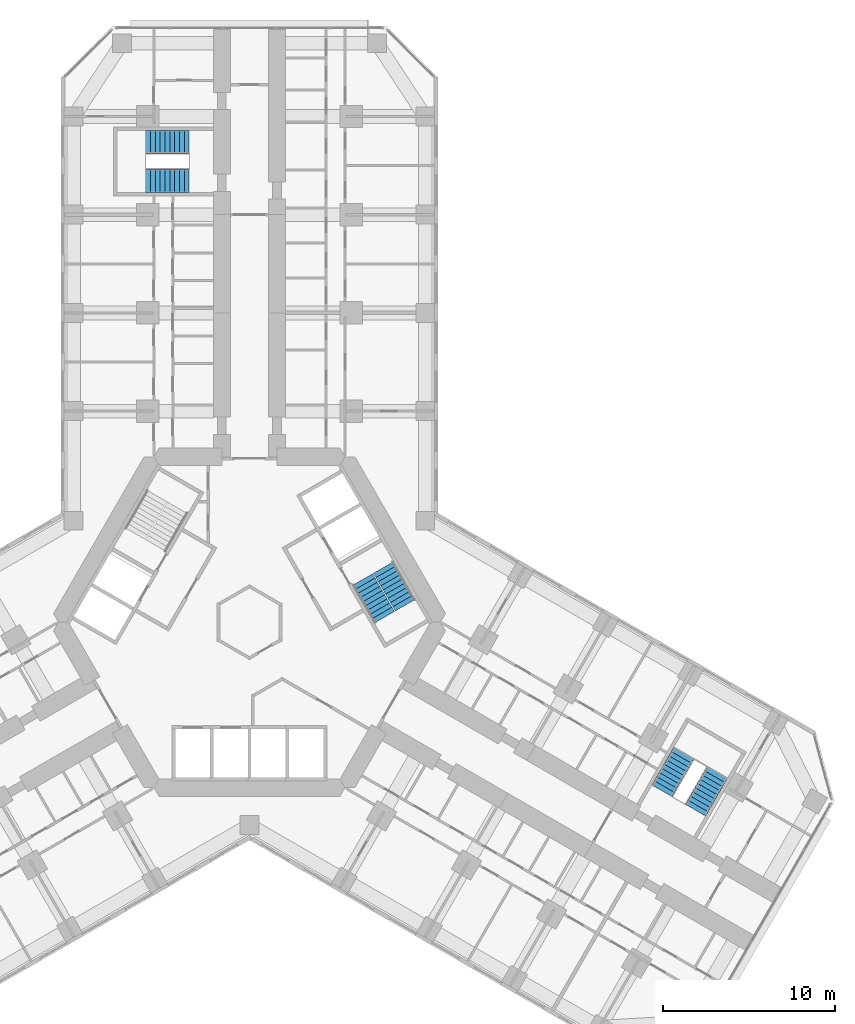
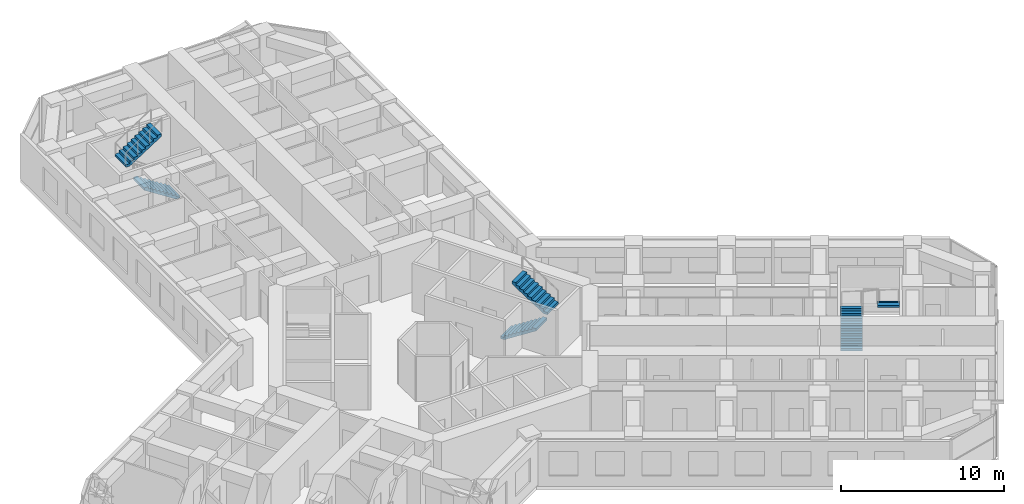
# One storey, part 20 of 21: 6 stair flights, 3 elements without a shape of their own.
"""IFC4 building model written with IfcOpenShell, lengths in metres."""

from ifc_helpers import new_model, si_unit, direction, frame, origin, place, context, subcontext, project, spatial, polyline, outline, extrude, material, type_object, element, aggregate, save


model = new_model("IFC4")

# Units and contexts
model_context = context("Model", 3, precision=1e-05, world=origin(), true_north=direction((0.0, 1.0)))
body_context = subcontext(model_context, "Body", "Model", "MODEL_VIEW")
ifc_project = project(units=[si_unit("LENGTHUNIT", "METRE"), si_unit("AREAUNIT", "SQUARE_METRE"), si_unit("VOLUMEUNIT", "CUBIC_METRE"), si_unit("PLANEANGLEUNIT", "RADIAN"), si_unit("MASSUNIT", "GRAM", prefix="KILO")], contexts=[model_context])

# Site, building, storey
site_placement = place(None, origin())
site = spatial("IfcSite", under=ifc_project, at=site_placement, CompositionType="ELEMENT")
building_placement = place(site_placement, origin())
building = spatial("IfcBuilding", under=site, at=building_placement, Name="Kosmar Iwan School Tower", CompositionType="ELEMENT")
storey_placement = place(building_placement, frame((0.0, 0.0, 43.0)))
storey = spatial("IfcBuildingStorey", under=building, at=storey_placement, Name="L09", CompositionType="ELEMENT", Elevation=43.0)

# Stair, stair flights
ifc_material_1 = material(Name="Concrete C35/45", Category="concrete")
stair_type_1 = type_object("IfcStairType", Name="Escape stair 3600", PredefinedType="HALF_TURN_STAIR", material=ifc_material_1)
stair_1_placement = place(storey_placement, origin())
stair_1 = element("IfcStair", 1, at=stair_1_placement, inside=storey, type_object=stair_type_1, Name="Stair WS1 L09", PredefinedType="HALF_TURN_STAIR")
ifc_material_2 = material(Name="Concrete C35/45", Category="concrete")
stair_flight_type_1 = type_object("IfcStairFlightType", Name="Escape stair flight 1350", PredefinedType="STRAIGHT", material=ifc_material_2)
stair_flight_1_placement = place(storey_placement, frame((-3.5, 25.625, 0.0), z_axis=(0.0, 0.0, 1.0), x_axis=(-1.0, 0.0, 0.0)))
stair_flight_1 = element("IfcStairFlight", 2, at=stair_flight_1_placement, type_object=stair_flight_type_1, Name="WS1 flight 1", NumberOfRisers=10, NumberOfTreads=9, PredefinedType="STRAIGHT", RiserHeight=0.18, TreadLength=0.28, context=body_context, shape_type="SweptSolid", body=[
    extrude(outline(polyline([(0.0, 0.0), (0.0, 0.179931640625), (0.280029296875, 0.179931640625), (0.280029296875, 0.360107421875), (0.56005859375, 0.360107421875), (0.56005859375, 0.5400390625), (0.840087890625, 0.5400390625), (0.840087890625, 0.719970703125), (1.1201171875, 0.719970703125), (1.1201171875, 0.89990234375), (1.39990234375, 0.89990234375), (1.39990234375, 1.080078125), (1.679931640625, 1.080078125), (1.679931640625, 1.260009765625), (1.9599609375, 1.260009765625), (1.9599609375, 1.43994140625), (2.239990234375, 1.43994140625), (2.239990234375, 1.6201171875), (2.52001953125, 1.6201171875), (2.52001953125, 1.800048828125), (2.52001953125, 1.44189453125), (0.277099609375, 0.0), (0.0, 0.0)])), frame((0.0, 0.675048828125, 0.0), z_axis=(0.0, -1.0, 0.0), x_axis=(1.0, 0.0, 0.0)), (0.0, 0.0, 1.0), 1.35009765625),
])
stair_flight_2_placement = place(storey_placement, frame((-6.02001953125, 27.875, 1.800048828125), z_axis=(0.0, 0.0, 1.0), x_axis=(1.0, 0.0, 0.0)))
stair_flight_2 = element("IfcStairFlight", 3, at=stair_flight_2_placement, type_object=stair_flight_type_1, Name="WS1 flight 2", NumberOfRisers=10, NumberOfTreads=9, PredefinedType="STRAIGHT", RiserHeight=0.18, TreadLength=0.28, context=body_context, shape_type="SweptSolid", body=[
    extrude(outline(polyline([(0.0, 0.0), (0.0, 0.179931640625), (0.280029296875, 0.179931640625), (0.280029296875, 0.360107421875), (0.56005859375, 0.360107421875), (0.56005859375, 0.5400390625), (0.840087890625, 0.5400390625), (0.840087890625, 0.719970703125), (1.1201171875, 0.719970703125), (1.1201171875, 0.89990234375), (1.39990234375, 0.89990234375), (1.39990234375, 1.080078125), (1.679931640625, 1.080078125), (1.679931640625, 1.260009765625), (1.9599609375, 1.260009765625), (1.9599609375, 1.43994140625), (2.239990234375, 1.43994140625), (2.239990234375, 1.6201171875), (2.52001953125, 1.6201171875), (2.52001953125, 1.800048828125), (2.52001953125, 1.44189453125), (0.277099609375, 0.0), (0.0, 0.0)])), frame((0.0, 0.675048828125, 0.0), z_axis=(0.0, -1.0, 0.0), x_axis=(1.0, 0.0, 0.0)), (0.0, 0.0, 1.0), 1.35009765625),
])
aggregate(stair_1, [stair_flight_1, stair_flight_2])

stair_2_placement = place(storey_placement, origin())
stair_2 = element("IfcStair", 4, at=stair_2_placement, inside=storey, type_object=stair_type_1, Name="Stair WS3 L09", PredefinedType="HALF_TURN_STAIR")
stair_flight_3_placement = place(storey_placement, frame((23.94189453125, -9.781494140625, 0.0), z_axis=(0.0, 0.0, 1.0), x_axis=(0.5, 0.866025403784, 0.0)))
stair_flight_3 = element("IfcStairFlight", 5, at=stair_flight_3_placement, type_object=stair_flight_type_1, Name="WS3 flight 1", NumberOfRisers=10, NumberOfTreads=9, PredefinedType="STRAIGHT", RiserHeight=0.18, TreadLength=0.28, context=body_context, shape_type="SweptSolid", body=[
    extrude(outline(polyline([(0.0, 0.0), (0.0, 0.179931640625), (0.280029296875, 0.179931640625), (0.280029296875, 0.360107421875), (0.56005859375, 0.360107421875), (0.56005859375, 0.5400390625), (0.840087890625, 0.5400390625), (0.840087890625, 0.719970703125), (1.1201171875, 0.719970703125), (1.1201171875, 0.89990234375), (1.39990234375, 0.89990234375), (1.39990234375, 1.080078125), (1.679931640625, 1.080078125), (1.679931640625, 1.260009765625), (1.9599609375, 1.260009765625), (1.9599609375, 1.43994140625), (2.239990234375, 1.43994140625), (2.239990234375, 1.6201171875), (2.52001953125, 1.6201171875), (2.52001953125, 1.800048828125), (2.52001953125, 1.44189453125), (0.277099609375, 0.0), (0.0, 0.0)])), frame((0.0, 0.675048828125, 0.0), z_axis=(0.0, -1.0, 0.0), x_axis=(1.0, 0.0, 0.0)), (0.0, 0.0, 1.0), 1.35009765625),
])
stair_flight_4_placement = place(storey_placement, frame((27.150390625, -8.72412109375, 1.800048828125), z_axis=(0.0, 0.0, 1.0), x_axis=(-0.5, -0.866025403784, 0.0)))
stair_flight_4 = element("IfcStairFlight", 6, at=stair_flight_4_placement, type_object=stair_flight_type_1, Name="WS3 flight 2", NumberOfRisers=10, NumberOfTreads=9, PredefinedType="STRAIGHT", RiserHeight=0.18, TreadLength=0.28, context=body_context, shape_type="SweptSolid", body=[
    extrude(outline(polyline([(0.0, 0.0), (0.0, 0.179931640625), (0.280029296875, 0.179931640625), (0.280029296875, 0.360107421875), (0.56005859375, 0.360107421875), (0.56005859375, 0.5400390625), (0.840087890625, 0.5400390625), (0.840087890625, 0.719970703125), (1.1201171875, 0.719970703125), (1.1201171875, 0.89990234375), (1.39990234375, 0.89990234375), (1.39990234375, 1.080078125), (1.679931640625, 1.080078125), (1.679931640625, 1.260009765625), (1.9599609375, 1.260009765625), (1.9599609375, 1.43994140625), (2.239990234375, 1.43994140625), (2.239990234375, 1.6201171875), (2.52001953125, 1.6201171875), (2.52001953125, 1.800048828125), (2.52001953125, 1.44189453125), (0.277099609375, 0.0), (0.0, 0.0)])), frame((0.0, 0.675048828125, 0.0), z_axis=(0.0, -1.0, 0.0), x_axis=(1.0, 0.0, 0.0)), (0.0, 0.0, 1.0), 1.35009765625),
])
aggregate(stair_2, [stair_flight_3, stair_flight_4])

ifc_material_3 = material(Name="Concrete C35/45", Category="concrete")
stair_type_2 = type_object("IfcStairType", Name="Core stair 2750", PredefinedType="HALF_TURN_STAIR", material=ifc_material_3)
stair_3_placement = place(storey_placement, origin())
stair_3 = element("IfcStair", 7, at=stair_3_placement, inside=storey, type_object=stair_type_2, Name="Stair ST1 L09", PredefinedType="HALF_TURN_STAIR")
ifc_material_4 = material(Name="Concrete C35/45", Category="concrete")
stair_flight_type_2 = type_object("IfcStairFlightType", Name="Stair flight 1350", PredefinedType="STRAIGHT", material=ifc_material_4)
stair_flight_5_placement = place(storey_placement, frame((6.567138671875, 2.475341796875, 0.0), z_axis=(0.0, 0.0, 1.0), x_axis=(0.5, -0.866025403784, 0.0)))
stair_flight_5 = element("IfcStairFlight", 8, at=stair_flight_5_placement, type_object=stair_flight_type_2, Name="ST1 flight 1", NumberOfRisers=10, NumberOfTreads=9, PredefinedType="STRAIGHT", RiserHeight=0.18, TreadLength=0.28, context=body_context, shape_type="SweptSolid", body=[
    extrude(outline(polyline([(0.0, 0.0), (0.0, 0.179931640625), (0.280029296875, 0.179931640625), (0.280029296875, 0.360107421875), (0.56005859375, 0.360107421875), (0.56005859375, 0.5400390625), (0.840087890625, 0.5400390625), (0.840087890625, 0.719970703125), (1.1201171875, 0.719970703125), (1.1201171875, 0.89990234375), (1.39990234375, 0.89990234375), (1.39990234375, 1.080078125), (1.679931640625, 1.080078125), (1.679931640625, 1.260009765625), (1.9599609375, 1.260009765625), (1.9599609375, 1.43994140625), (2.239990234375, 1.43994140625), (2.239990234375, 1.6201171875), (2.52001953125, 1.6201171875), (2.52001953125, 1.800048828125), (2.52001953125, 1.44189453125), (0.277099609375, 0.0), (0.0, 0.0)])), frame((0.0, 0.675048828125, 0.0), z_axis=(0.0, -1.0, 0.0), x_axis=(1.0, 0.0, 0.0)), (0.0, 0.0, 1.0), 1.35009765625),
])
stair_flight_6_placement = place(storey_placement, frame((9.03955078125, 0.992919921875, 1.800048828125), z_axis=(0.0, 0.0, 1.0), x_axis=(-0.5, 0.866025403784, 0.0)))
stair_flight_6 = element("IfcStairFlight", 9, at=stair_flight_6_placement, type_object=stair_flight_type_2, Name="ST1 flight 2", NumberOfRisers=10, NumberOfTreads=9, PredefinedType="STRAIGHT", RiserHeight=0.18, TreadLength=0.28, context=body_context, shape_type="SweptSolid", body=[
    extrude(outline(polyline([(0.0, 0.0), (0.0, 0.179931640625), (0.280029296875, 0.179931640625), (0.280029296875, 0.360107421875), (0.56005859375, 0.360107421875), (0.56005859375, 0.5400390625), (0.840087890625, 0.5400390625), (0.840087890625, 0.719970703125), (1.1201171875, 0.719970703125), (1.1201171875, 0.89990234375), (1.39990234375, 0.89990234375), (1.39990234375, 1.080078125), (1.679931640625, 1.080078125), (1.679931640625, 1.260009765625), (1.9599609375, 1.260009765625), (1.9599609375, 1.43994140625), (2.239990234375, 1.43994140625), (2.239990234375, 1.6201171875), (2.52001953125, 1.6201171875), (2.52001953125, 1.800048828125), (2.52001953125, 1.44189453125), (0.277099609375, 0.0), (0.0, 0.0)])), frame((0.0, 0.675048828125, 0.0), z_axis=(0.0, -1.0, 0.0), x_axis=(1.0, 0.0, 0.0)), (0.0, 0.0, 1.0), 1.35009765625),
])
aggregate(stair_3, [stair_flight_5, stair_flight_6])

save(model, "model.ifc")
